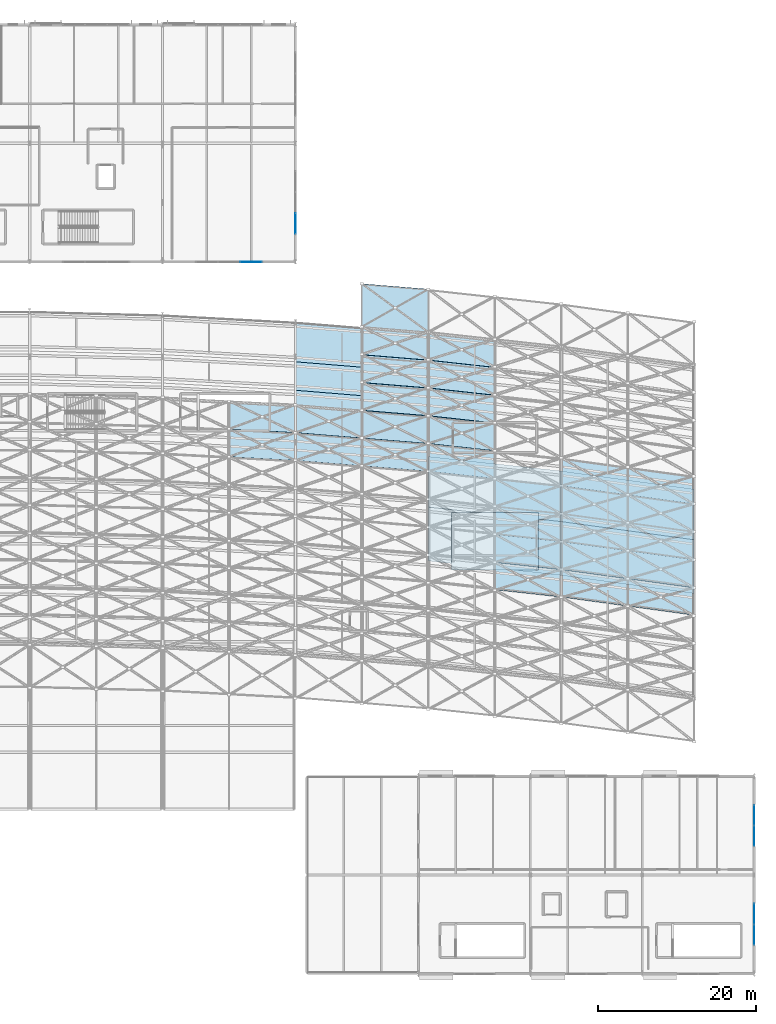
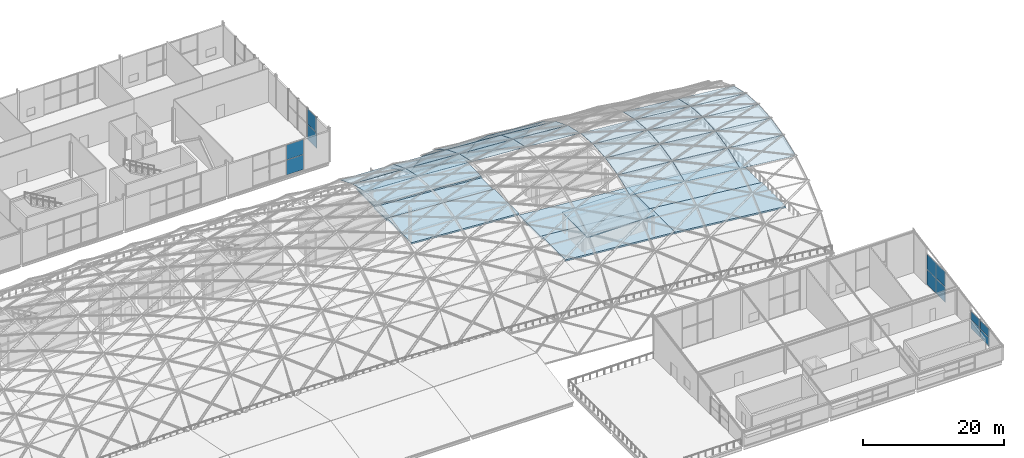
# One storey, part 71 of 100: 41 plates, 8 slabs, 4 elements without a shape of their own.
"""IFC4 building model written with IfcOpenShell, lengths in metres."""

from ifc_helpers import new_model, si_unit, direction, frame, origin, origin_2d, place, context, subcontext, project, spatial, polyline, rectangle, outline, extrude, material, layer, layer_set, type_object, element, aggregate, save


model = new_model("IFC4")

# Units and contexts
model_context = context("Model", 3, precision=1e-05, world=origin(), true_north=direction((0.0, 1.0)))
body_context = subcontext(model_context, "Body", "Model", "MODEL_VIEW")
ifc_project = project(units=[si_unit("LENGTHUNIT", "METRE"), si_unit("AREAUNIT", "SQUARE_METRE"), si_unit("VOLUMEUNIT", "CUBIC_METRE"), si_unit("PLANEANGLEUNIT", "RADIAN"), si_unit("MASSUNIT", "GRAM", prefix="KILO")], contexts=[model_context])

# Site, building, storey
site_placement = place(None, origin())
site = spatial("IfcSite", under=ifc_project, at=site_placement, CompositionType="ELEMENT")
building_placement = place(site_placement, origin())
building = spatial("IfcBuilding", under=site, at=building_placement, Name="Kimbaza Rail Terminus", CompositionType="ELEMENT")
storey_placement = place(building_placement, frame((0.0, 0.0, 10.800048828125)))
storey = spatial("IfcBuildingStorey", under=building, at=storey_placement, Name="L02", CompositionType="ELEMENT", Elevation=10.800048828125)

# Curtain wall, plates
ifc_material_1 = material(Name="Anodised aluminium framing and solar low-E glazing", Category="aluminium")
curtain_wall_type_1 = type_object("IfcCurtainWallType", Name="ARC-CW-PV1", PredefinedType="USERDEFINED", material=ifc_material_1)
curtain_wall_1_placement = place(storey_placement, origin())
curtain_wall_1 = element("IfcCurtainWall", 1, at=curtain_wall_1_placement, inside=storey, type_object=curtain_wall_type_1, Name="Pavilion E Curtain Wall L02.1", ObjectType="STICK CURTAIN WALL", PredefinedType="USERDEFINED")
ifc_material_2 = material(Name="Solar-control double low-E glazing", Category="glass")
ifc_layer_1 = layer(ifc_material_2, 0.027099609375)
ifc_layer_set_1 = layer_set([ifc_layer_1], Name="Solar-control double low-E glazing")
plate_type_1 = type_object("IfcPlateType", Name="ARC-CWP-04", PredefinedType="CURTAIN_PANEL", material=ifc_layer_set_1)
plate_1_placement = place(storey_placement, frame((214.0, 17.941162109375, 0.06494140625), z_axis=(0.0, 0.0, 1.0), x_axis=(0.0, 1.0, 0.0)))
plate_1 = element("IfcPlate", 2, at=plate_1_placement, type_object=plate_type_1, Name="CW-04 panel 1.1", PredefinedType="CURTAIN_PANEL", context=body_context, shape_type="SweptSolid", body=[
    extrude(rectangle(XDim=2.552490234375, YDim=0.027099609375, at=origin_2d()), origin(), (0.0, 0.0, 1.0), 1.436279296875),
])
plate_2_placement = place(storey_placement, frame((214.0, 17.941162109375, 1.56640625), z_axis=(0.0, 0.0, 1.0), x_axis=(0.0, 1.0, 0.0)))
plate_2 = element("IfcPlate", 3, at=plate_2_placement, type_object=plate_type_1, Name="CW-04 panel 1.2", PredefinedType="CURTAIN_PANEL", context=body_context, shape_type="SweptSolid", body=[
    extrude(rectangle(XDim=2.552490234375, YDim=0.027099609375, at=origin_2d()), origin(), (0.0, 0.0, 1.0), 1.436279296875),
])
plate_3_placement = place(storey_placement, frame((214.0, 20.558837890625, 0.06494140625), z_axis=(0.0, 0.0, 1.0), x_axis=(0.0, 1.0, 0.0)))
plate_3 = element("IfcPlate", 4, at=plate_3_placement, type_object=plate_type_1, Name="CW-04 panel 2.1", PredefinedType="CURTAIN_PANEL", context=body_context, shape_type="SweptSolid", body=[
    extrude(rectangle(XDim=2.552490234375, YDim=0.027099609375, at=origin_2d()), origin(), (0.0, 0.0, 1.0), 1.436279296875),
])
plate_4_placement = place(storey_placement, frame((214.0, 20.558837890625, 1.56640625), z_axis=(0.0, 0.0, 1.0), x_axis=(0.0, 1.0, 0.0)))
plate_4 = element("IfcPlate", 5, at=plate_4_placement, type_object=plate_type_1, Name="CW-04 panel 2.2", PredefinedType="CURTAIN_PANEL", context=body_context, shape_type="SweptSolid", body=[
    extrude(rectangle(XDim=2.552490234375, YDim=0.027099609375, at=origin_2d()), origin(), (0.0, 0.0, 1.0), 1.436279296875),
])
aggregate(curtain_wall_1, [plate_1, plate_2, plate_3, plate_4])

curtain_wall_2_placement = place(storey_placement, origin())
curtain_wall_2 = element("IfcCurtainWall", 6, at=curtain_wall_2_placement, inside=storey, type_object=curtain_wall_type_1, Name="Pavilion E Curtain Wall L02.2", ObjectType="STICK CURTAIN WALL", PredefinedType="USERDEFINED")
plate_5_placement = place(storey_placement, frame((214.0, 30.441162109375, 0.06494140625), z_axis=(0.0, 0.0, 1.0), x_axis=(0.0, 1.0, 0.0)))
plate_5 = element("IfcPlate", 7, at=plate_5_placement, type_object=plate_type_1, Name="CW-04 panel 1.1", PredefinedType="CURTAIN_PANEL", context=body_context, shape_type="SweptSolid", body=[
    extrude(rectangle(XDim=2.552490234375, YDim=0.027099609375, at=origin_2d()), origin(), (0.0, 0.0, 1.0), 2.5986328125),
])
plate_6_placement = place(storey_placement, frame((214.0, 30.441162109375, 2.728515625), z_axis=(0.0, 0.0, 1.0), x_axis=(0.0, 1.0, 0.0)))
plate_6 = element("IfcPlate", 8, at=plate_6_placement, type_object=plate_type_1, Name="CW-04 panel 1.2", PredefinedType="CURTAIN_PANEL", context=body_context, shape_type="SweptSolid", body=[
    extrude(rectangle(XDim=2.552490234375, YDim=0.027099609375, at=origin_2d()), origin(), (0.0, 0.0, 1.0), 2.598876953125),
])
plate_7_placement = place(storey_placement, frame((214.0, 33.058837890625, 0.06494140625), z_axis=(0.0, 0.0, 1.0), x_axis=(0.0, 1.0, 0.0)))
plate_7 = element("IfcPlate", 9, at=plate_7_placement, type_object=plate_type_1, Name="CW-04 panel 2.1", PredefinedType="CURTAIN_PANEL", context=body_context, shape_type="SweptSolid", body=[
    extrude(rectangle(XDim=2.552490234375, YDim=0.027099609375, at=origin_2d()), origin(), (0.0, 0.0, 1.0), 2.5986328125),
])
plate_8_placement = place(storey_placement, frame((214.0, 33.058837890625, 2.728515625), z_axis=(0.0, 0.0, 1.0), x_axis=(0.0, 1.0, 0.0)))
plate_8 = element("IfcPlate", 10, at=plate_8_placement, type_object=plate_type_1, Name="CW-04 panel 2.2", PredefinedType="CURTAIN_PANEL", context=body_context, shape_type="SweptSolid", body=[
    extrude(rectangle(XDim=2.552490234375, YDim=0.027099609375, at=origin_2d()), origin(), (0.0, 0.0, 1.0), 2.598876953125),
])
aggregate(curtain_wall_2, [plate_5, plate_6, plate_7, plate_8])

ifc_material_3 = material(Name="Anodised aluminium framing and solar low-E glazing", Category="aluminium")
curtain_wall_type_2 = type_object("IfcCurtainWallType", Name="ARC-CW-OP1", PredefinedType="USERDEFINED", material=ifc_material_3)
curtain_wall_3_placement = place(storey_placement, origin())
curtain_wall_3 = element("IfcCurtainWall", 11, at=curtain_wall_3_placement, inside=storey, type_object=curtain_wall_type_2, Name="Operations South Curtain Wall L02 Bay 6", ObjectType="UNITISED CURTAIN WALL", PredefinedType="USERDEFINED")
ifc_material_4 = material(Name="Solar-control double low-E glazing", Category="glass")
ifc_layer_2 = layer(ifc_material_4, 0.02490234375)
ifc_layer_set_2 = layer_set([ifc_layer_2], Name="Solar-control double low-E glazing")
plate_type_2 = type_object("IfcPlateType", Name="ARC-CWP-05", PredefinedType="CURTAIN_PANEL", material=ifc_layer_set_2)
plate_9_placement = place(storey_placement, frame((150.384521484375, 103.0, 0.06201171875), z_axis=(0.0, 0.0, 1.0), x_axis=(1.0, 0.0, 0.0)))
plate_9 = element("IfcPlate", 12, at=plate_9_placement, type_object=plate_type_2, Name="CW-05 panel 3.1", PredefinedType="CURTAIN_PANEL", context=body_context, shape_type="SweptSolid", body=[
    extrude(rectangle(XDim=2.70703125, YDim=0.02490234375, at=origin_2d()), origin(), (0.0, 0.0, 1.0), 2.569580078125),
])
plate_10_placement = place(storey_placement, frame((150.384521484375, 103.0, 2.693359375), z_axis=(0.0, 0.0, 1.0), x_axis=(1.0, 0.0, 0.0)))
plate_10 = element("IfcPlate", 13, at=plate_10_placement, type_object=plate_type_2, Name="CW-05 panel 3.2", PredefinedType="CURTAIN_PANEL", context=body_context, shape_type="SweptSolid", body=[
    extrude(rectangle(XDim=2.70703125, YDim=0.02490234375, at=origin_2d()), origin(), (0.0, 0.0, 1.0), 2.569580078125),
])
aggregate(curtain_wall_3, [plate_9, plate_10])

curtain_wall_4_placement = place(storey_placement, origin())
curtain_wall_4 = element("IfcCurtainWall", 14, at=curtain_wall_4_placement, inside=storey, type_object=curtain_wall_type_2, Name="Operations E Curtain Wall L02.1", ObjectType="UNITISED CURTAIN WALL", PredefinedType="USERDEFINED")
plate_11_placement = place(storey_placement, frame((156.0, 107.848876953125, 0.06201171875), z_axis=(0.0, 0.0, 1.0), x_axis=(0.0, 1.0, 0.0)))
plate_11 = element("IfcPlate", 15, at=plate_11_placement, type_object=plate_type_2, Name="CW-05 panel 1.1", PredefinedType="CURTAIN_PANEL", context=body_context, shape_type="SweptSolid", body=[
    extrude(rectangle(XDim=2.57373046875, YDim=0.02490234375, at=origin_2d()), origin(), (0.0, 0.0, 1.0), 2.609619140625),
])
plate_12_placement = place(storey_placement, frame((156.0, 107.848876953125, 2.7333984375), z_axis=(0.0, 0.0, 1.0), x_axis=(0.0, 1.0, 0.0)))
plate_12 = element("IfcPlate", 16, at=plate_12_placement, type_object=plate_type_2, Name="CW-05 panel 1.2", PredefinedType="CURTAIN_PANEL", context=body_context, shape_type="SweptSolid", body=[
    extrude(rectangle(XDim=2.57373046875, YDim=0.02490234375, at=origin_2d()), origin(), (0.0, 0.0, 1.0), 2.609619140625),
])
aggregate(curtain_wall_4, [plate_11, plate_12])

# Plates
ifc_material_5 = material(Name="Insulated pearl-white aluminium cassette", Category="aluminium")
ifc_layer_3 = layer(ifc_material_5, 0.0810546875)
ifc_layer_set_3 = layer_set([ifc_layer_3], Name="Insulated pearl-white aluminium cassette")
plate_type_3 = type_object("IfcPlateType", Name="ARC-PL-VAL-14", PredefinedType="SHEET", material=ifc_layer_set_3)
plate_13_placement = place(storey_placement, frame((164.405029296875, 94.746826171875, 0.123779296875), z_axis=(0.033780937756, 0.413566770926, 0.909846896038), x_axis=(0.996680630795, -0.081410811309, 0.0)))
element("IfcPlate", 17, at=plate_13_placement, inside=storey, type_object=plate_type_3, Name="Vault Insulated Aluminium Cassette VR-17-VA13", PredefinedType="SHEET", context=body_context, shape_type="SweptSolid", body=[
    extrude(outline(polyline([(0.0, 0.0), (8.417834478666043, 0.0), (7.970075016465285, 6.0249075896655615), (-0.44775946220075735, 6.0249075896655615), (0.0, 0.0)])), origin(), (0.0, 0.0, -1.0), 0.0810546875),
])
ifc_material_6 = material(Name="Laminated solar-control low-E glass", Category="glass")
ifc_layer_4 = layer(ifc_material_6, 0.033935546875)
ifc_layer_set_4 = layer_set([ifc_layer_4], Name="Laminated solar-control low-E glass")
plate_type_4 = type_object("IfcPlateType", Name="ARC-PL-VGL-05", PredefinedType="SHEET", material=ifc_layer_set_4)
plate_14_placement = place(storey_placement, frame((181.205078125, 61.556640625, 10.421142578125), z_axis=(-0.040531265198, -0.371230524658, 0.927655708819), x_axis=(0.994092533341, -0.108535870365, 0.0)))
element("IfcPlate", 18, at=plate_14_placement, inside=storey, type_object=plate_type_4, Name="Vault Solar Glass Cassette VR-19-VA04", PredefinedType="SHEET", context=body_context, shape_type="SweptSolid", body=[
    extrude(outline(polyline([(0.0, 0.0), (8.43975012057354, 0.0), (8.05987457429586, 3.7506629168745134), (-0.3798755462776813, 3.7506629168745134), (0.0, 0.0)])), origin(), (0.0, 0.0, -1.0), 0.033935546875),
])
plate_15_placement = place(storey_placement, frame((189.60498046875, 60.640625, 10.421142578125), z_axis=(-0.050800761265, -0.371056102366, 0.92721985071), x_axis=(0.990757747619, -0.135643228847, 0.0)))
element("IfcPlate", 19, at=plate_15_placement, inside=storey, type_object=plate_type_4, Name="Vault Solar Glass Cassette VR-20-VA04", PredefinedType="SHEET", context=body_context, shape_type="SweptSolid", body=[
    extrude(outline(polyline([(0.0, 0.0), (8.468403844339614, 2.220446049250313e-16), (7.993652543375765, 3.7398380912695317), (-0.47475130096385, 3.7398380912695313), (0.0, 0.0)])), origin(), (0.0, 0.0, -1.0), 0.033935546875),
])
plate_16_placement = place(storey_placement, frame((198.0048828125, 59.491943359375, 10.421142578125), z_axis=(-0.050811530578, -0.371055898819, 0.927219342072), x_axis=(0.990753872834, -0.135671527834, 0.0)))
element("IfcPlate", 20, at=plate_16_placement, inside=storey, type_object=plate_type_4, Name="Vault Solar Glass Cassette VR-21-VA04", PredefinedType="SHEET", context=body_context, shape_type="SweptSolid", body=[
    extrude(outline(polyline([(0.0, 0.0), (8.468436963816755, 0.0), (7.99358661639649, 3.7398255165491685), (-0.474850347420265, 3.7398255165491685), (0.0, 0.0)])), origin(), (0.0, 0.0, -1.0), 0.033935546875),
])
ifc_material_7 = material(Name="Laminated solar-control low-E glass", Category="glass")
ifc_layer_5 = layer(ifc_material_7, 0.035888671875)
ifc_layer_set_5 = layer_set([ifc_layer_5], Name="Laminated solar-control low-E glass")
plate_type_5 = type_object("IfcPlateType", Name="ARC-PL-VGL-06", PredefinedType="SHEET", material=ifc_layer_set_5)
plate_17_placement = place(storey_placement, frame((181.205078125, 65.0693359375, 11.827880859375), z_axis=(-0.024322415435, -0.22277180342, 0.974567157105), x_axis=(0.994092533341, -0.108535870365, 0.0)))
element("IfcPlate", 21, at=plate_17_placement, inside=storey, type_object=plate_type_5, Name="Vault Solar Glass Cassette VR-19-VA05", PredefinedType="SHEET", context=body_context, shape_type="SweptSolid", body=[
    extrude(outline(polyline([(0.0, 0.0), (8.43975012057354, 0.0), (8.05987457429586, 3.570122224339724), (-0.3798755462776813, 3.570122224339724), (0.0, 0.0)])), origin(), (0.0, 0.0, -1.0), 0.035888671875),
])
plate_18_placement = place(storey_placement, frame((189.60498046875, 64.1533203125, 11.827880859375), z_axis=(-0.030494206868, -0.222734094205, 0.974402189358), x_axis=(0.990757747619, -0.135643228847, 0.0)))
element("IfcPlate", 22, at=plate_18_placement, inside=storey, type_object=plate_type_5, Name="Vault Solar Glass Cassette VR-20-VA05", PredefinedType="SHEET", context=body_context, shape_type="SweptSolid", body=[
    extrude(outline(polyline([(0.0, 0.0), (8.468403844339614, 0.0), (7.993652543375765, 3.5587482812946067), (-0.47475130096385, 3.5587482812946067), (0.0, 0.0)])), origin(), (0.0, 0.0, -1.0), 0.035888671875),
])
plate_19_placement = place(storey_placement, frame((198.0048828125, 63.004638671875, 11.827880859375), z_axis=(-0.030500682074, -0.222734050179, 0.974401996757), x_axis=(0.990753872834, -0.135671527834, 0.0)))
element("IfcPlate", 23, at=plate_19_placement, inside=storey, type_object=plate_type_5, Name="Vault Solar Glass Cassette VR-21-VA05", PredefinedType="SHEET", context=body_context, shape_type="SweptSolid", body=[
    extrude(outline(polyline([(0.0, 0.0), (8.468436963816755, -2.220446049250313e-16), (7.99358661639649, 3.5587350666970194), (-0.474850347420265, 3.5587350666970194), (0.0, 0.0)])), origin(), (0.0, 0.0, -1.0), 0.035888671875),
])
ifc_material_8 = material(Name="Laminated solar-control low-E glass", Category="glass")
ifc_layer_6 = layer(ifc_material_8, 0.0380859375)
ifc_layer_set_6 = layer_set([ifc_layer_6], Name="Laminated solar-control low-E glass")
plate_type_6 = type_object("IfcPlateType", Name="ARC-PL-VGL-07", PredefinedType="SHEET", material=ifc_layer_set_6)
plate_20_placement = place(storey_placement, frame((181.205078125, 68.58251953125, 12.632080078125), z_axis=(-0.008101273925, -0.074220282173, 0.997208964598), x_axis=(0.99409565406, -0.108507283526, 0.0)))
element("IfcPlate", 24, at=plate_20_placement, inside=storey, type_object=plate_type_6, Name="Vault Solar Glass Cassette VR-19-VA06", PredefinedType="SHEET", context=body_context, shape_type="SweptSolid", body=[
    extrude(outline(polyline([(0.0, 0.0), (8.439723626047915, 0.0), (8.059948133705944, 3.489072915237242), (-0.37977549234196967, 3.489072915237242), (0.0, 0.0)])), origin(), (0.0, 0.0, -1.0), 0.0380859375),
])
plate_21_placement = place(storey_placement, frame((189.60498046875, 67.666748046875, 12.632080078125), z_axis=(-0.010163361168, -0.074218884378, 0.997190184113), x_axis=(0.990753872834, -0.135671527834, 0.0)))
element("IfcPlate", 25, at=plate_21_placement, inside=storey, type_object=plate_type_6, Name="Vault Solar Glass Cassette VR-20-VA06", PredefinedType="SHEET", context=body_context, shape_type="SweptSolid", body=[
    extrude(outline(polyline([(0.0, 0.0), (8.468436963816755, 0.0), (7.99358661639649, 3.477409435194617), (-0.474850347420265, 3.477409435194617), (0.0, 0.0)])), origin(), (0.0, 0.0, -1.0), 0.0380859375),
])
plate_22_placement = place(storey_placement, frame((198.0048828125, 66.517822265625, 12.632080078125), z_axis=(-0.01016120173, -0.074218886007, 0.997190205998), x_axis=(0.990757747619, -0.135643228847, 0.0)))
element("IfcPlate", 26, at=plate_22_placement, inside=storey, type_object=plate_type_6, Name="Vault Solar Glass Cassette VR-21-VA06", PredefinedType="SHEET", context=body_context, shape_type="SweptSolid", body=[
    extrude(outline(polyline([(0.0, 0.0), (8.468403844339614, 2.220446049250313e-16), (7.993652543375765, 3.477422958838747), (-0.47475130096385, 3.4774229588387464), (0.0, 0.0)])), origin(), (0.0, 0.0, -1.0), 0.0380859375),
])
ifc_material_9 = material(Name="Laminated solar-control low-E glass", Category="glass")
ifc_layer_7 = layer(ifc_material_9, 0.0400390625)
ifc_layer_set_7 = layer_set([ifc_layer_7], Name="Laminated solar-control low-E glass")
plate_type_7 = type_object("IfcPlateType", Name="ARC-PL-VGL-08", PredefinedType="SHEET", material=ifc_layer_set_7)
plate_23_placement = place(storey_placement, frame((181.205078125, 72.096435546875, 12.894775390625), z_axis=(0.008108824114, 0.074289453662, 0.997203752523), x_axis=(0.99409565406, -0.108507283526, 0.0)))
element("IfcPlate", 27, at=plate_23_placement, inside=storey, type_object=plate_type_7, Name="Vault Solar Glass Cassette VR-19-VA07", PredefinedType="SHEET", context=body_context, shape_type="SweptSolid", body=[
    extrude(outline(polyline([(0.0, 0.0), (8.439723626047915, -1.1102230246251565e-16), (8.059948133705944, 3.4890911515405705), (-0.37977549234196967, 3.4890911515405705), (0.0, 0.0)])), origin(), (0.0, 0.0, -1.0), 0.0400390625),
])
plate_24_placement = place(storey_placement, frame((189.60498046875, 71.1806640625, 12.894775390625), z_axis=(0.010172832815, 0.074288051956, 0.997184937115), x_axis=(0.990753872834, -0.135671527834, 0.0)))
element("IfcPlate", 28, at=plate_24_placement, inside=storey, type_object=plate_type_7, Name="Vault Solar Glass Cassette VR-20-VA07", PredefinedType="SHEET", context=body_context, shape_type="SweptSolid", body=[
    extrude(outline(polyline([(0.0, 0.0), (8.468436963816755, 0.0), (7.99358661639649, 3.4774277326634904), (-0.474850347420265, 3.47742773266349), (0.0, 0.0)])), origin(), (0.0, 0.0, -1.0), 0.0400390625),
])
plate_25_placement = place(storey_placement, frame((198.0048828125, 70.03173828125, 12.894775390625), z_axis=(0.010170671365, 0.074288053589, 0.997184959041), x_axis=(0.990757747619, -0.135643228847, 0.0)))
element("IfcPlate", 29, at=plate_25_placement, inside=storey, type_object=plate_type_7, Name="Vault Solar Glass Cassette VR-21-VA07", PredefinedType="SHEET", context=body_context, shape_type="SweptSolid", body=[
    extrude(outline(polyline([(0.0, 0.0), (8.468403844339614, 0.0), (7.993652543375765, 3.477441256236461), (-0.47475130096385, 3.477441256236461), (0.0, 0.0)])), origin(), (0.0, 0.0, -1.0), 0.0400390625),
])
ifc_material_10 = material(Name="Laminated solar-control low-E glass", Category="glass")
ifc_layer_8 = layer(ifc_material_10, 0.0419921875)
ifc_layer_set_8 = layer_set([ifc_layer_8], Name="Laminated solar-control low-E glass")
plate_type_8 = type_object("IfcPlateType", Name="ARC-PL-VGL-09", PredefinedType="SHEET", material=ifc_layer_set_8)
plate_26_placement = place(storey_placement, frame((147.60498046875, 78.353271484375, 12.6337890625), z_axis=(0.012111690054, 0.22282138136, 0.974784047353), x_axis=(0.998525975476, -0.054275927434, 0.0)))
element("IfcPlate", 30, at=plate_26_placement, inside=storey, type_object=plate_type_8, Name="Vault Solar Glass Cassette VR-15-VA08", PredefinedType="SHEET", context=body_context, shape_type="SweptSolid", body=[
    extrude(outline(polyline([(0.0, 0.0), (8.40252224259524, 0.0), (8.212556496576935, 3.585246315488504), (-0.18996574601830432, 3.585246315488504), (0.0, 0.0)])), origin(), (0.0, 0.0, -1.0), 0.0419921875),
])
plate_27_placement = place(storey_placement, frame((156.0048828125, 77.897216796875, 12.6337890625), z_axis=(0.018191793795, 0.222800850169, 0.974694228875), x_axis=(0.996683175765, -0.081379648234, 0.0)))
element("IfcPlate", 31, at=plate_27_placement, inside=storey, type_object=plate_type_8, Name="Vault Solar Glass Cassette VR-16-VA08", PredefinedType="SHEET", context=body_context, shape_type="SweptSolid", body=[
    extrude(outline(polyline([(0.0, 0.0), (8.418057937326623, 1.1102230246251565e-16), (8.1332291685089, 3.5789594437263417), (-0.28482876881772273, 3.5789594437263412), (0.0, 0.0)])), origin(), (0.0, 0.0, -1.0), 0.0419921875),
])
plate_28_placement = place(storey_placement, frame((164.405029296875, 77.212158203125, 12.6337890625), z_axis=(0.01819232299, 0.222800848023, 0.974694219488), x_axis=(0.996682983687, -0.081382000647, 0.0)))
element("IfcPlate", 32, at=plate_28_placement, inside=storey, type_object=plate_type_8, Name="Vault Solar Glass Cassette VR-17-VA08", PredefinedType="SHEET", context=body_context, shape_type="SweptSolid", body=[
    extrude(outline(polyline([(0.0, 0.0), (8.417814606496611, 0.0), (8.132977604233039, 3.5789587884642775), (-0.2848370022635715, 3.578958788464277), (0.0, 0.0)])), origin(), (0.0, 0.0, -1.0), 0.0419921875),
])
plate_29_placement = place(storey_placement, frame((172.804931640625, 76.527099609375, 12.6337890625), z_axis=(0.024321708107, 0.222771807255, 0.974567173881), x_axis=(0.994092874093, -0.108532749334, 0.0)))
element("IfcPlate", 33, at=plate_29_placement, inside=storey, type_object=plate_type_8, Name="Vault Solar Glass Cassette VR-18-VA08", PredefinedType="SHEET", context=body_context, shape_type="SweptSolid", body=[
    extrude(outline(polyline([(0.0, 0.0), (8.439992818987536, 0.0), (8.060128196320168, 3.5701233866394544), (-0.37986462266736853, 3.5701233866394544), (0.0, 0.0)])), origin(), (0.0, 0.0, -1.0), 0.0419921875),
])
for number, where, z_axis, x_axis, name in (
    (34, (189.60498046875, 74.695068359375, 12.6337890625), (0.030494206868, 0.222734094205, 0.974402189358), (0.990757747619, -0.135643228847, 0.0), "Vault Solar Glass Cassette VR-20-VA08"),
    (35, (198.0048828125, 73.54638671875, 12.6337890625), (0.030494206868, 0.222734094205, 0.974402189358), (0.990757747619, -0.135643228847, 0.0), "Vault Solar Glass Cassette VR-21-VA08"),
):
    element("IfcPlate", number, at=place(storey_placement, frame(where, z_axis=z_axis, x_axis=x_axis)), inside=storey, type_object=plate_type_8, Name=name, PredefinedType="SHEET", context=body_context, shape_type="SweptSolid", body=[
        extrude(outline(polyline([(0.0, 0.0), (8.468403844339614, 0.0), (7.993652543375765, 3.5587482812946067), (-0.47475130096385, 3.5587482812946067), (0.0, 0.0)])), origin(), (0.0, 0.0, -1.0), 0.0419921875),
    ])
ifc_material_11 = material(Name="Laminated solar-control low-E glass", Category="glass")
ifc_layer_9 = layer(ifc_material_11, 0.0439453125)
ifc_layer_set_9 = layer_set([ifc_layer_9], Name="Laminated solar-control low-E glass")
plate_type_9 = type_object("IfcPlateType", Name="ARC-PL-VGL-10", PredefinedType="SHEET", material=ifc_layer_set_9)
plate_30_placement = place(storey_placement, frame((147.60498046875, 81.868408203125, 11.8310546875), z_axis=(0.020191102791, 0.37146008485, 0.928229349208), x_axis=(0.998525975476, -0.054275927434, 0.0)))
element("IfcPlate", 36, at=plate_30_placement, inside=storey, type_object=plate_type_9, Name="Vault Solar Glass Cassette VR-15-VA09", PredefinedType="SHEET", context=body_context, shape_type="SweptSolid", body=[
    extrude(outline(polyline([(0.0, 0.0), (8.40252224259524, 5.551115123125783e-17), (8.212556496576935, 3.765061853677455), (-0.18996574601830432, 3.7650618536774543), (0.0, 0.0)])), origin(), (0.0, 0.0, -1.0), 0.0439453125),
])
plate_31_placement = place(storey_placement, frame((156.0048828125, 81.412353515625, 11.8310546875), z_axis=(0.030322125123, 0.371364986444, 0.927991710939), x_axis=(0.996683175765, -0.081379648234, 0.0)))
element("IfcPlate", 37, at=plate_31_placement, inside=storey, type_object=plate_type_9, Name="Vault Solar Glass Cassette VR-16-VA09", PredefinedType="SHEET", context=body_context, shape_type="SweptSolid", body=[
    extrude(outline(polyline([(0.0, 0.0), (8.418057937326623, 0.0), (8.1332291685089, 3.7590757267087853), (-0.28482876881772273, 3.7590757267087853), (0.0, 0.0)])), origin(), (0.0, 0.0, -1.0), 0.0439453125),
])
plate_32_placement = place(storey_placement, frame((164.405029296875, 80.727294921875, 11.8310546875), z_axis=(0.030333803213, 0.371364854795, 0.927991381967), x_axis=(0.996680630795, -0.081410811309, 0.0)))
element("IfcPlate", 38, at=plate_32_placement, inside=storey, type_object=plate_type_9, Name="Vault Solar Glass Cassette VR-17-VA09", PredefinedType="SHEET", context=body_context, shape_type="SweptSolid", body=[
    extrude(outline(polyline([(0.0, 0.0), (8.417834478666043, 1.1102230246251565e-16), (8.132896639083743, 3.7590674607210186), (-0.2849378395823001, 3.7590674607210186), (0.0, 0.0)])), origin(), (0.0, 0.0, -1.0), 0.0439453125),
])
plate_33_placement = place(storey_placement, frame((172.804931640625, 80.0419921875, 11.8310546875), z_axis=(0.04051930321, 0.371230704913, 0.927656159252), x_axis=(0.994095994634, -0.108504163297, 0.0)))
element("IfcPlate", 39, at=plate_33_placement, inside=storey, type_object=plate_type_9, Name="Vault Solar Glass Cassette VR-18-VA09", PredefinedType="SHEET", context=body_context, shape_type="SweptSolid", body=[
    extrude(outline(polyline([(0.0, 0.0), (8.43996632522378, 0.0), (8.06020175368356, 3.750674154986043), (-0.3797645715402207, 3.7506741549860436), (0.0, 0.0)])), origin(), (0.0, 0.0, -1.0), 0.0439453125),
])
ifc_material_12 = material(Name="Laminated solar-control low-E glass", Category="glass")
ifc_layer_10 = layer(ifc_material_12, 0.0458984375)
ifc_layer_set_10 = layer_set([ifc_layer_10], Name="Laminated solar-control low-E glass")
plate_type_10 = type_object("IfcPlateType", Name="ARC-PL-VGL-11", PredefinedType="SHEET", material=ifc_layer_set_10)
plate_34_placement = place(storey_placement, frame((164.405029296875, 84.242919921875, 10.4248046875), z_axis=(0.042454938672, 0.519944393257, 0.853144422769), x_axis=(0.996682983687, -0.081382000647, 0.0)))
element("IfcPlate", 40, at=plate_34_placement, inside=storey, type_object=plate_type_10, Name="Vault Solar Glass Cassette VR-17-VA10", PredefinedType="SHEET", context=body_context, shape_type="SweptSolid", body=[
    extrude(outline(polyline([(0.0, 0.0), (8.417814606496611, 0.0), (8.132977604233039, 4.088862740941044), (-0.2848370022635715, 4.088862740941044), (0.0, 0.0)])), origin(), (0.0, 0.0, -1.0), 0.0458984375),
])
plate_35_placement = place(storey_placement, frame((172.804931640625, 83.557861328125, 10.4248046875), z_axis=(0.056726059277, 0.519575627167, 0.852539337423), x_axis=(0.994092874093, -0.108532749334, 0.0)))
element("IfcPlate", 41, at=plate_35_placement, inside=storey, type_object=plate_type_10, Name="Vault Solar Glass Cassette VR-18-VA10", PredefinedType="SHEET", context=body_context, shape_type="SweptSolid", body=[
    extrude(outline(polyline([(0.0, 0.0), (8.439992818987536, 0.0), (8.060128196320168, 4.08113139957049), (-0.37986462266736853, 4.0811313995704905), (0.0, 0.0)])), origin(), (0.0, 0.0, -1.0), 0.0458984375),
])
ifc_material_13 = material(Name="Laminated solar-control low-E glass", Category="glass")
ifc_layer_11 = layer(ifc_material_13, 0.048095703125)
ifc_layer_set_11 = layer_set([ifc_layer_11], Name="Laminated solar-control low-E glass")
plate_type_11 = type_object("IfcPlateType", Name="ARC-PL-VGL-12", PredefinedType="SHEET", material=ifc_layer_set_11)
plate_36_placement = place(storey_placement, frame((164.405029296875, 87.75927734375, 8.281982421875), z_axis=(0.054621989349, 0.668953907328, 0.741294211599), x_axis=(0.996682983687, -0.081382000647, 0.0)))
element("IfcPlate", 42, at=plate_36_placement, inside=storey, type_object=plate_type_11, Name="Vault Solar Glass Cassette VR-17-VA11", PredefinedType="SHEET", context=body_context, shape_type="SweptSolid", body=[
    extrude(outline(polyline([(0.0, 0.0), (8.417814606496611, 0.0), (8.132977604233039, 4.70581098344117), (-0.2848370022635715, 4.70581098344117), (0.0, 0.0)])), origin(), (0.0, 0.0, -1.0), 0.048095703125),
])
plate_37_placement = place(storey_placement, frame((172.804931640625, 87.07421875, 8.281982421875), z_axis=(0.072949148612, 0.668169094136, 0.740424529144), x_axis=(0.994092874093, -0.108532749334, 0.0)))
element("IfcPlate", 43, at=plate_37_placement, inside=storey, type_object=plate_type_11, Name="Vault Solar Glass Cassette VR-18-VA11", PredefinedType="SHEET", context=body_context, shape_type="SweptSolid", body=[
    extrude(outline(polyline([(0.0, 0.0), (8.439992818987536, 0.0), (8.060128196320168, 4.699094806255755), (-0.37986462266736853, 4.699094806255755), (0.0, 0.0)])), origin(), (0.0, 0.0, -1.0), 0.048095703125),
])
ifc_material_14 = material(Name="Laminated solar-control low-E glass", Category="glass")
ifc_layer_12 = layer(ifc_material_14, 0.050048828125)
ifc_layer_set_12 = layer_set([ifc_layer_12], Name="Laminated solar-control low-E glass")
plate_type_12 = type_object("IfcPlateType", Name="ARC-PL-VGL-13", PredefinedType="SHEET", material=ifc_layer_set_12)
plate_38_placement = place(storey_placement, frame((164.405029296875, 91.276123046875, 5.107666015625), z_axis=(0.066946390969, 0.819890493816, 0.568592788281), x_axis=(0.996682983687, -0.081382000647, 0.0)))
element("IfcPlate", 44, at=plate_38_placement, inside=storey, type_object=plate_type_12, Name="Vault Solar Glass Cassette VR-17-VA12", PredefinedType="SHEET", context=body_context, shape_type="SweptSolid", body=[
    extrude(outline(polyline([(0.0, 0.0), (8.417814606496611, 5.551115123125783e-17), (8.132977604233039, 6.135129595026212), (-0.2848370022635715, 6.135129595026212), (0.0, 0.0)])), origin(), (0.0, 0.0, -1.0), 0.050048828125),
])
plate_39_placement = place(storey_placement, frame((172.804931640625, 90.591064453125, 5.107666015625), z_axis=(0.08935612405, 0.818446844109, 0.567591619444), x_axis=(0.994092874093, -0.108532749334, 0.0)))
element("IfcPlate", 45, at=plate_39_placement, inside=storey, type_object=plate_type_12, Name="Vault Solar Glass Cassette VR-18-VA12", PredefinedType="SHEET", context=body_context, shape_type="SweptSolid", body=[
    extrude(outline(polyline([(0.0, 0.0), (8.439992818987536, -1.1102230246251565e-16), (8.060128196320168, 6.129979619384617), (-0.37986462266736853, 6.129979619384617), (0.0, 0.0)])), origin(), (0.0, 0.0, -1.0), 0.050048828125),
])

# Slabs
ifc_material_15 = material(Name="Concrete C40/50", Category="concrete")
ifc_layer_13 = layer(ifc_material_15, 0.155029296875)
ifc_layer_set_13 = layer_set([ifc_layer_13], Name="Concrete C40/50")
slab_type_1 = type_object("IfcSlabType", Name="STR-SL-OVR155", PredefinedType="ROOF", material=ifc_layer_set_13)
slab_1_placement = place(storey_placement, frame((0.0, 0.0, 3.39990234375)))
element("IfcSlab", 46, at=slab_1_placement, inside=storey, type_object=slab_type_1, Name="Island Platform 2-3 Air-Conditioned Waiting Lounge 10 Pod Roof Slab", PredefinedType="ROOF", context=body_context, shape_type="SweptSolid", body=[
    extrude(outline(polyline([(175.699951171875, 64.0615234375), (186.699951171875, 64.0615234375), (186.699951171875, 71.3173828125), (175.699951171875, 71.3173828125), (175.699951171875, 64.0615234375)])), origin(), (0.0, 0.0, 1.0), 0.155029296875),
])
ifc_material_16 = material(Name="Precast concrete C40/50", Category="concrete")
ifc_layer_14 = layer(ifc_material_16, 0.260009765625)
ifc_layer_set_14 = layer_set([ifc_layer_14], Name="Precast concrete C40/50")
slab_type_2 = type_object("IfcSlabType", Name="STR-SL-PLT260", PredefinedType="FLOOR", material=ifc_layer_set_14)
slab_2_placement = place(storey_placement, frame((0.0, 0.0, -0.260009765625)))
element("IfcSlab", 47, at=slab_2_placement, inside=storey, type_object=slab_type_2, Name="Viaduct Platform 4-5 North Island Bay 09", PredefinedType="FLOOR", context=body_context, shape_type="SweptSolid", body=[
    extrude(outline(polyline([(156.0, 79.77587890625), (172.800048828125, 78.405517578125), (172.800048828125, 85.405517578125), (156.0, 86.77587890625), (156.0, 79.77587890625)])), origin(), (0.0, 0.0, 1.0), 0.260009765625),
])
slab_3_placement = place(storey_placement, frame((0.0, 0.0, -0.260009765625)))
element("IfcSlab", 48, at=slab_3_placement, inside=storey, type_object=slab_type_2, Name="Viaduct Platform 6 North Intercity Bay 09", PredefinedType="FLOOR", context=body_context, shape_type="SweptSolid", body=[
    extrude(outline(polyline([(156.0, 90.375732421875), (172.800048828125, 89.00537109375), (172.800048828125, 94.00537109375), (156.0, 95.375732421875), (156.0, 90.375732421875)])), origin(), (0.0, 0.0, 1.0), 0.260009765625),
])
slab_4_placement = place(storey_placement, frame((0.0, 0.0, -0.260009765625)))
element("IfcSlab", 49, at=slab_4_placement, inside=storey, type_object=slab_type_2, Name="Viaduct Platform 2-3 South Island Bay 10", PredefinedType="FLOOR", context=body_context, shape_type="SweptSolid", body=[
    extrude(outline(polyline([(172.800048828125, 65.205322265625), (189.60009765625, 63.37353515625), (189.60009765625, 70.173583984375), (172.800048828125, 72.00537109375), (172.800048828125, 65.205322265625)])), origin(), (0.0, 0.0, 1.0), 0.260009765625),
])
slab_5_placement = place(storey_placement, frame((0.0, 0.0, -0.260009765625)))
element("IfcSlab", 50, at=slab_5_placement, inside=storey, type_object=slab_type_2, Name="Viaduct Platform 2-3 South Island Bay 11", PredefinedType="FLOOR", context=body_context, shape_type="SweptSolid", body=[
    extrude(outline(polyline([(189.60009765625, 63.37353515625), (206.39990234375, 61.075927734375), (206.39990234375, 67.8759765625), (189.60009765625, 70.173583984375), (189.60009765625, 63.37353515625)])), origin(), (0.0, 0.0, 1.0), 0.260009765625),
])
ifc_material_17 = material(Name="Concrete C40/50", Category="concrete")
ifc_layer_15 = layer(ifc_material_17, 0.320068359375)
ifc_layer_set_15 = layer_set([ifc_layer_15], Name="Concrete C40/50")
slab_type_3 = type_object("IfcSlabType", Name="STR-SL-TRK320", PredefinedType="FLOOR", material=ifc_layer_set_15)
slab_6_placement = place(storey_placement, frame((0.0, 0.0, -0.570068359375)))
element("IfcSlab", 51, at=slab_6_placement, inside=storey, type_object=slab_type_3, Name="Viaduct Track Bed 5-6 Bay 09", PredefinedType="FLOOR", context=body_context, shape_type="SweptSolid", body=[
    extrude(outline(polyline([(156.0, 86.77587890625), (172.800048828125, 85.405517578125), (172.800048828125, 89.00537109375), (156.0, 90.375732421875), (156.0, 86.77587890625)])), origin(), (0.0, 0.0, 1.0), 0.320068359375),
])
slab_7_placement = place(storey_placement, frame((0.0, 0.0, -0.570068359375)))
element("IfcSlab", 52, at=slab_7_placement, inside=storey, type_object=slab_type_3, Name="Viaduct Track Bed 3-4 Bay 10", PredefinedType="FLOOR", context=body_context, shape_type="SweptSolid", body=[
    extrude(outline(polyline([(172.800048828125, 72.00537109375), (189.60009765625, 70.173583984375), (189.60009765625, 76.573486328125), (172.800048828125, 78.405517578125), (172.800048828125, 72.00537109375)])), origin(), (0.0, 0.0, 1.0), 0.320068359375),
])
slab_8_placement = place(storey_placement, frame((0.0, 0.0, -0.570068359375)))
element("IfcSlab", 53, at=slab_8_placement, inside=storey, type_object=slab_type_3, Name="Viaduct Track Bed 3-4 Bay 11", PredefinedType="FLOOR", context=body_context, shape_type="SweptSolid", body=[
    extrude(outline(polyline([(189.60009765625, 70.173583984375), (206.39990234375, 67.8759765625), (206.39990234375, 74.27587890625), (189.60009765625, 76.573486328125), (189.60009765625, 70.173583984375)])), origin(), (0.0, 0.0, 1.0), 0.320068359375),
])

save(model, "model.ifc")
